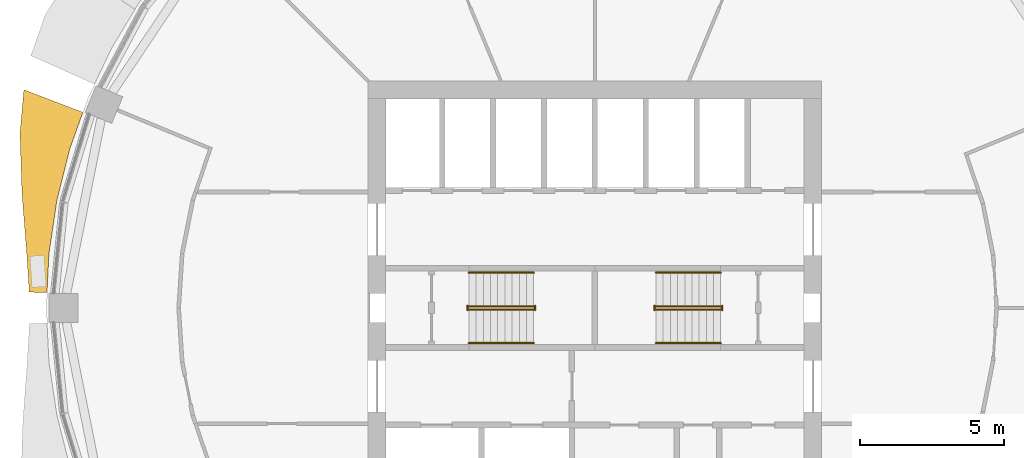
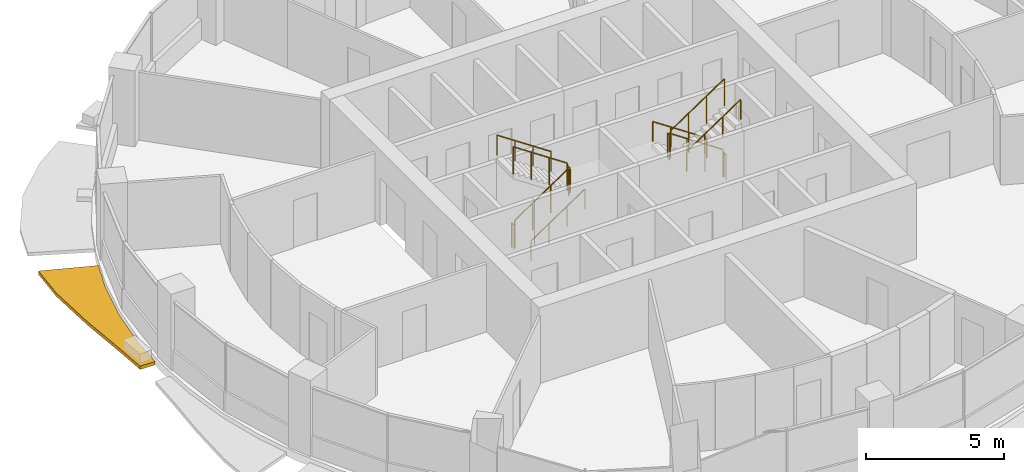
# One storey, part 13 of 15: 12 railings, 1 shading device.
"""IFC4 building model written with IfcOpenShell, lengths in metres."""

from ifc_helpers import new_model, si_unit, direction, frame, origin, origin_2d, place, context, subcontext, project, spatial, polyline, circle, outline, extrude, material, type_object, element, save


model = new_model("IFC4")

# Units and contexts
model_context = context("Model", 3, precision=1e-05, world=origin(), true_north=direction((0.0, 1.0)))
body_context = subcontext(model_context, "Body", "Model", "MODEL_VIEW")
ifc_project = project(units=[si_unit("LENGTHUNIT", "METRE"), si_unit("AREAUNIT", "SQUARE_METRE"), si_unit("VOLUMEUNIT", "CUBIC_METRE"), si_unit("PLANEANGLEUNIT", "RADIAN"), si_unit("MASSUNIT", "GRAM", prefix="KILO")], contexts=[model_context])

# Site, building, storey
site_placement = place(None, origin())
site = spatial("IfcSite", under=ifc_project, at=site_placement, CompositionType="ELEMENT")
building_placement = place(site_placement, origin())
building = spatial("IfcBuilding", under=site, at=building_placement, Name="Polderwave Tower", CompositionType="ELEMENT")
storey_placement = place(building_placement, frame((0.0, 0.0, 124.300048828125)))
storey = spatial("IfcBuildingStorey", under=building, at=storey_placement, Name="L32", CompositionType="ELEMENT", Elevation=124.300048828125)

# Railings
ifc_material_1 = material(Name="Stainless steel", Category="steel")
railing_type_1 = type_object("IfcRailingType", Name="Stair guard 1100", PredefinedType="GUARDRAIL", material=ifc_material_1)
railing_1_placement = place(storey_placement, frame((-4.3740234375, -0.051025390625, 0.04736328125)))
element("IfcRailing", 1, at=railing_1_placement, inside=storey, type_object=railing_type_1, Name="L32 ST-A stair guard 1", PredefinedType="GUARDRAIL", context=body_context, shape_type="SweptSolid", body=[
    extrude(circle(Radius=0.02392578125, at=origin_2d()), frame((0.0, 0.0, 1.1962890625), z_axis=(0.830758306289, 0.0, 0.556633305266), x_axis=(0.0, 1.0, 0.0)), (0.0, 0.0, 1.0), 2.708251953125),
    extrude(circle(Radius=0.02392578125, at=origin_2d()), origin(), (0.0, 0.0, 1.0), 1.172119140625),
    extrude(circle(Radius=0.02392578125, at=origin_2d()), frame((0.75, 0.0, 0.50244140625)), (0.0, 0.0, 1.0), 1.172119140625),
    extrude(circle(Radius=0.02392578125, at=origin_2d()), frame((1.5, 0.0, 1.005126953125)), (0.0, 0.0, 1.0), 1.172119140625),
    extrude(circle(Radius=0.02392578125, at=origin_2d()), frame((2.25, 0.0, 1.507568359375)), (0.0, 0.0, 1.0), 1.172119140625),
])
railing_2_placement = place(storey_placement, frame((-2.073974609375, -0.074951171875, 1.675048828125)))
element("IfcRailing", 2, at=railing_2_placement, inside=storey, type_object=railing_type_1, Name="L32 ST-A stair guard 2", PredefinedType="GUARDRAIL", context=body_context, shape_type="SweptSolid", body=[
    extrude(circle(Radius=0.02392578125, at=origin_2d()), frame((0.0, 0.0, 1.076171875), z_axis=(0.0, 1.0, 0.0), x_axis=(-1.0, 0.0, 0.0)), (0.0, 0.0, 1.0), 0.14990234375),
    extrude(circle(Radius=0.02099609375, at=origin_2d()), origin(), (0.0, 0.0, 1.0), 1.052001953125),
    extrude(circle(Radius=0.02099609375, at=origin_2d()), frame((0.0, 0.14990234375, 0.0)), (0.0, 0.0, 1.0), 1.052001953125),
])
railing_3_placement = place(storey_placement, frame((-2.1240234375, 0.051025390625, 1.722412109375)))
element("IfcRailing", 3, at=railing_3_placement, inside=storey, type_object=railing_type_1, Name="L32 ST-A stair guard 3", PredefinedType="GUARDRAIL", context=body_context, shape_type="SweptSolid", body=[
    extrude(circle(Radius=0.02392578125, at=origin_2d()), frame((0.0, 0.0, 1.1962890625), z_axis=(-0.830799990696, 0.0, 0.556571087517), x_axis=(0.0, -1.0, 0.0)), (0.0, 0.0, 1.0), 2.708251953125),
    extrude(circle(Radius=0.02392578125, at=origin_2d()), origin(), (0.0, 0.0, 1.0), 1.172119140625),
    extrude(circle(Radius=0.02392578125, at=origin_2d()), frame((-0.75, 0.0, 0.50244140625)), (0.0, 0.0, 1.0), 1.172119140625),
    extrude(circle(Radius=0.02392578125, at=origin_2d()), frame((-1.5, 0.0, 1.0048828125)), (0.0, 0.0, 1.0), 1.172119140625),
    extrude(circle(Radius=0.02392578125, at=origin_2d()), frame((-2.25, 0.0, 1.50732421875)), (0.0, 0.0, 1.0), 1.172119140625),
])
railing_4_placement = place(storey_placement, frame((-4.424072265625, -0.074951171875, 0.0)))
element("IfcRailing", 4, at=railing_4_placement, inside=storey, type_object=railing_type_1, Name="L32 ST-A stair guard 4", PredefinedType="GUARDRAIL", context=body_context, shape_type="SweptSolid", body=[
    extrude(circle(Radius=0.02392578125, at=origin_2d()), frame((0.0, 0.0, 1.076171875), z_axis=(0.0, 1.0, 0.0), x_axis=(-1.0, 0.0, 0.0)), (0.0, 0.0, 1.0), 0.14990234375),
    extrude(circle(Radius=0.02099609375, at=origin_2d()), origin(), (0.0, 0.0, 1.0), 1.052001953125),
    extrude(circle(Radius=0.02099609375, at=origin_2d()), frame((0.0, 0.14990234375, 0.0)), (0.0, 0.0, 1.0), 1.052001953125),
])
railing_5_placement = place(storey_placement, frame((4.3740234375, 0.051025390625, 0.04736328125)))
element("IfcRailing", 5, at=railing_5_placement, inside=storey, type_object=railing_type_1, Name="L32 ST-B stair guard 1", PredefinedType="GUARDRAIL", context=body_context, shape_type="SweptSolid", body=[
    extrude(circle(Radius=0.02392578125, at=origin_2d()), frame((0.0, 0.0, 1.1962890625), z_axis=(-0.830758306289, 0.0, 0.556633305266), x_axis=(0.0, -1.0, 0.0)), (0.0, 0.0, 1.0), 2.708251953125),
    extrude(circle(Radius=0.02392578125, at=origin_2d()), origin(), (0.0, 0.0, 1.0), 1.172119140625),
    extrude(circle(Radius=0.02392578125, at=origin_2d()), frame((-0.75, 0.0, 0.50244140625)), (0.0, 0.0, 1.0), 1.172119140625),
    extrude(circle(Radius=0.02392578125, at=origin_2d()), frame((-1.5, 0.0, 1.005126953125)), (0.0, 0.0, 1.0), 1.172119140625),
    extrude(circle(Radius=0.02392578125, at=origin_2d()), frame((-2.25, 0.0, 1.507568359375)), (0.0, 0.0, 1.0), 1.172119140625),
])
railing_6_placement = place(storey_placement, frame((2.073974609375, 0.074951171875, 1.675048828125)))
element("IfcRailing", 6, at=railing_6_placement, inside=storey, type_object=railing_type_1, Name="L32 ST-B stair guard 2", PredefinedType="GUARDRAIL", context=body_context, shape_type="SweptSolid", body=[
    extrude(circle(Radius=0.02392578125, at=origin_2d()), frame((0.0, 0.0, 1.076171875), z_axis=(0.0, -1.0, 0.0), x_axis=(1.0, 0.0, 0.0)), (0.0, 0.0, 1.0), 0.14990234375),
    extrude(circle(Radius=0.02099609375, at=origin_2d()), origin(), (0.0, 0.0, 1.0), 1.052001953125),
    extrude(circle(Radius=0.02099609375, at=origin_2d()), frame((0.0, -0.14990234375, 0.0)), (0.0, 0.0, 1.0), 1.052001953125),
])
railing_7_placement = place(storey_placement, frame((2.1240234375, -0.051025390625, 1.722412109375)))
element("IfcRailing", 7, at=railing_7_placement, inside=storey, type_object=railing_type_1, Name="L32 ST-B stair guard 3", PredefinedType="GUARDRAIL", context=body_context, shape_type="SweptSolid", body=[
    extrude(circle(Radius=0.02392578125, at=origin_2d()), frame((0.0, 0.0, 1.1962890625), z_axis=(0.830799990696, 0.0, 0.556571087517), x_axis=(0.0, 1.0, 0.0)), (0.0, 0.0, 1.0), 2.708251953125),
    extrude(circle(Radius=0.02392578125, at=origin_2d()), origin(), (0.0, 0.0, 1.0), 1.172119140625),
    extrude(circle(Radius=0.02392578125, at=origin_2d()), frame((0.75, 0.0, 0.50244140625)), (0.0, 0.0, 1.0), 1.172119140625),
    extrude(circle(Radius=0.02392578125, at=origin_2d()), frame((1.5, 0.0, 1.0048828125)), (0.0, 0.0, 1.0), 1.172119140625),
    extrude(circle(Radius=0.02392578125, at=origin_2d()), frame((2.25, 0.0, 1.50732421875)), (0.0, 0.0, 1.0), 1.172119140625),
])
railing_8_placement = place(storey_placement, frame((4.424072265625, 0.074951171875, 0.0)))
element("IfcRailing", 8, at=railing_8_placement, inside=storey, type_object=railing_type_1, Name="L32 ST-B stair guard 4", PredefinedType="GUARDRAIL", context=body_context, shape_type="SweptSolid", body=[
    extrude(circle(Radius=0.02392578125, at=origin_2d()), frame((0.0, 0.0, 1.076171875), z_axis=(0.0, -1.0, 0.0), x_axis=(1.0, 0.0, 0.0)), (0.0, 0.0, 1.0), 0.14990234375),
    extrude(circle(Radius=0.02099609375, at=origin_2d()), origin(), (0.0, 0.0, 1.0), 1.052001953125),
    extrude(circle(Radius=0.02099609375, at=origin_2d()), frame((0.0, -0.14990234375, 0.0)), (0.0, 0.0, 1.0), 1.052001953125),
])
railing_type_2 = type_object("IfcRailingType", Name="Stair handrail 900", PredefinedType="HANDRAIL", material=ifc_material_1)
railing_9_placement = place(storey_placement, frame((-4.3740234375, -1.22509765625, 0.16748046875)))
element("IfcRailing", 9, at=railing_9_placement, inside=storey, type_object=railing_type_2, Name="L32 ST-A stair handrail 1", PredefinedType="HANDRAIL", context=body_context, shape_type="SweptSolid", body=[
    extrude(circle(Radius=0.02392578125, at=origin_2d()), frame((0.0, 0.0, 0.8759765625), z_axis=(0.830758306289, 0.0, 0.556633305266), x_axis=(0.0, 1.0, 0.0)), (0.0, 0.0, 1.0), 2.708251953125),
    extrude(circle(Radius=0.02099609375, at=origin_2d()), origin(), (0.0, 0.0, 1.0), 0.851806640625),
    extrude(circle(Radius=0.02099609375, at=origin_2d()), frame((0.75, 0.0, 0.50244140625)), (0.0, 0.0, 1.0), 0.851806640625),
    extrude(circle(Radius=0.02099609375, at=origin_2d()), frame((1.5, 0.0, 1.005126953125)), (0.0, 0.0, 1.0), 0.851806640625),
    extrude(circle(Radius=0.02099609375, at=origin_2d()), frame((2.25, 0.0, 1.507568359375)), (0.0, 0.0, 1.0), 0.851806640625),
])
railing_10_placement = place(storey_placement, frame((-2.1240234375, 1.22509765625, 1.842529296875)))
element("IfcRailing", 10, at=railing_10_placement, inside=storey, type_object=railing_type_2, Name="L32 ST-A stair handrail 2", PredefinedType="HANDRAIL", context=body_context, shape_type="SweptSolid", body=[
    extrude(circle(Radius=0.02392578125, at=origin_2d()), frame((0.0, 0.0, 0.8759765625), z_axis=(-0.830799990696, 0.0, 0.556571087517), x_axis=(0.0, -1.0, 0.0)), (0.0, 0.0, 1.0), 2.708251953125),
    extrude(circle(Radius=0.02099609375, at=origin_2d()), origin(), (0.0, 0.0, 1.0), 0.851806640625),
    extrude(circle(Radius=0.02099609375, at=origin_2d()), frame((-0.75, 0.0, 0.50244140625)), (0.0, 0.0, 1.0), 0.851806640625),
    extrude(circle(Radius=0.02099609375, at=origin_2d()), frame((-1.5, 0.0, 1.0048828125)), (0.0, 0.0, 1.0), 0.851806640625),
    extrude(circle(Radius=0.02099609375, at=origin_2d()), frame((-2.25, 0.0, 1.50732421875)), (0.0, 0.0, 1.0), 0.851806640625),
])
railing_11_placement = place(storey_placement, frame((4.3740234375, 1.22509765625, 0.16748046875)))
element("IfcRailing", 11, at=railing_11_placement, inside=storey, type_object=railing_type_2, Name="L32 ST-B stair handrail 1", PredefinedType="HANDRAIL", context=body_context, shape_type="SweptSolid", body=[
    extrude(circle(Radius=0.02392578125, at=origin_2d()), frame((0.0, 0.0, 0.8759765625), z_axis=(-0.830758306289, 0.0, 0.556633305266), x_axis=(0.0, -1.0, 0.0)), (0.0, 0.0, 1.0), 2.708251953125),
    extrude(circle(Radius=0.02099609375, at=origin_2d()), origin(), (0.0, 0.0, 1.0), 0.851806640625),
    extrude(circle(Radius=0.02099609375, at=origin_2d()), frame((-0.75, 0.0, 0.50244140625)), (0.0, 0.0, 1.0), 0.851806640625),
    extrude(circle(Radius=0.02099609375, at=origin_2d()), frame((-1.5, 0.0, 1.005126953125)), (0.0, 0.0, 1.0), 0.851806640625),
    extrude(circle(Radius=0.02099609375, at=origin_2d()), frame((-2.25, 0.0, 1.507568359375)), (0.0, 0.0, 1.0), 0.851806640625),
])
railing_12_placement = place(storey_placement, frame((2.1240234375, -1.22509765625, 1.842529296875)))
element("IfcRailing", 12, at=railing_12_placement, inside=storey, type_object=railing_type_2, Name="L32 ST-B stair handrail 2", PredefinedType="HANDRAIL", context=body_context, shape_type="SweptSolid", body=[
    extrude(circle(Radius=0.02392578125, at=origin_2d()), frame((0.0, 0.0, 0.8759765625), z_axis=(0.830799990696, 0.0, 0.556571087517), x_axis=(0.0, 1.0, 0.0)), (0.0, 0.0, 1.0), 2.708251953125),
    extrude(circle(Radius=0.02099609375, at=origin_2d()), origin(), (0.0, 0.0, 1.0), 0.851806640625),
    extrude(circle(Radius=0.02099609375, at=origin_2d()), frame((0.75, 0.0, 0.50244140625)), (0.0, 0.0, 1.0), 0.851806640625),
    extrude(circle(Radius=0.02099609375, at=origin_2d()), frame((1.5, 0.0, 1.0048828125)), (0.0, 0.0, 1.0), 0.851806640625),
    extrude(circle(Radius=0.02099609375, at=origin_2d()), frame((2.25, 0.0, 1.50732421875)), (0.0, 0.0, 1.0), 0.851806640625),
])

# Shading device
ifc_material_2 = material(Name="Terracotta", Category="masonry")
shading_device_type = type_object("IfcShadingDeviceType", Name="Terracotta sunshade band", PredefinedType="USERDEFINED", material=ifc_material_2)
shading_device_placement = place(storey_placement, frame((0.0, 0.0, -0.35009765625)))
element("IfcShadingDevice", 13, at=shading_device_placement, inside=storey, type_object=shading_device_type, Name="Sunshade band L32 8", ObjectType="SUNSHADE", PredefinedType="USERDEFINED", context=body_context, shape_type="SweptSolid", body=[
    extrude(outline(polyline([(-17.787841796875, 6.79443359375), (-18.2392578125, 5.53271484375), (-18.69384765625, 3.718505859375), (-18.96826171875, 1.8681640625), (-19.033935546875, 0.52978515625), (-19.650390625, 0.547119140625), (-19.7421875, 1.9443359375), (-19.902587890625, 3.958740234375), (-19.972412109375, 6.05859375), (-19.83642578125, 7.576904296875), (-17.787841796875, 6.79443359375)])), origin(), (0.0, 0.0, 1.0), 0.150146484375),
])

save(model, "model.ifc")
